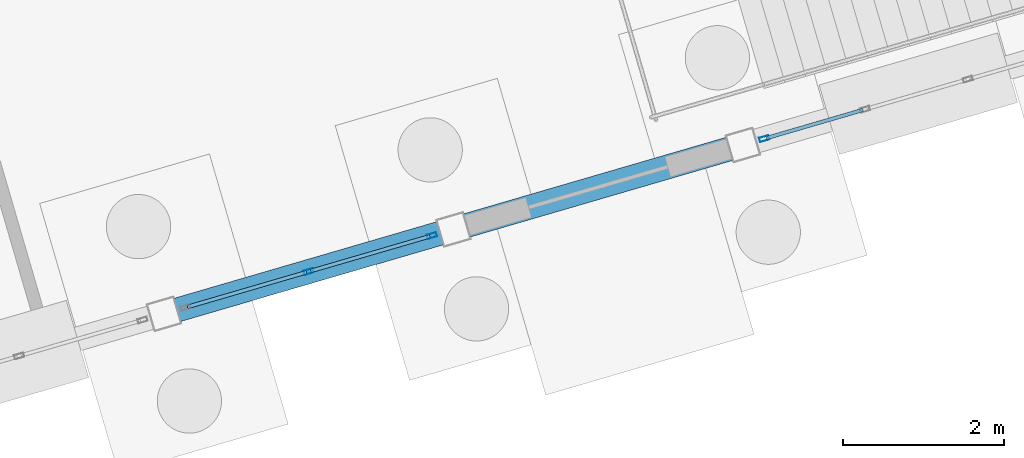
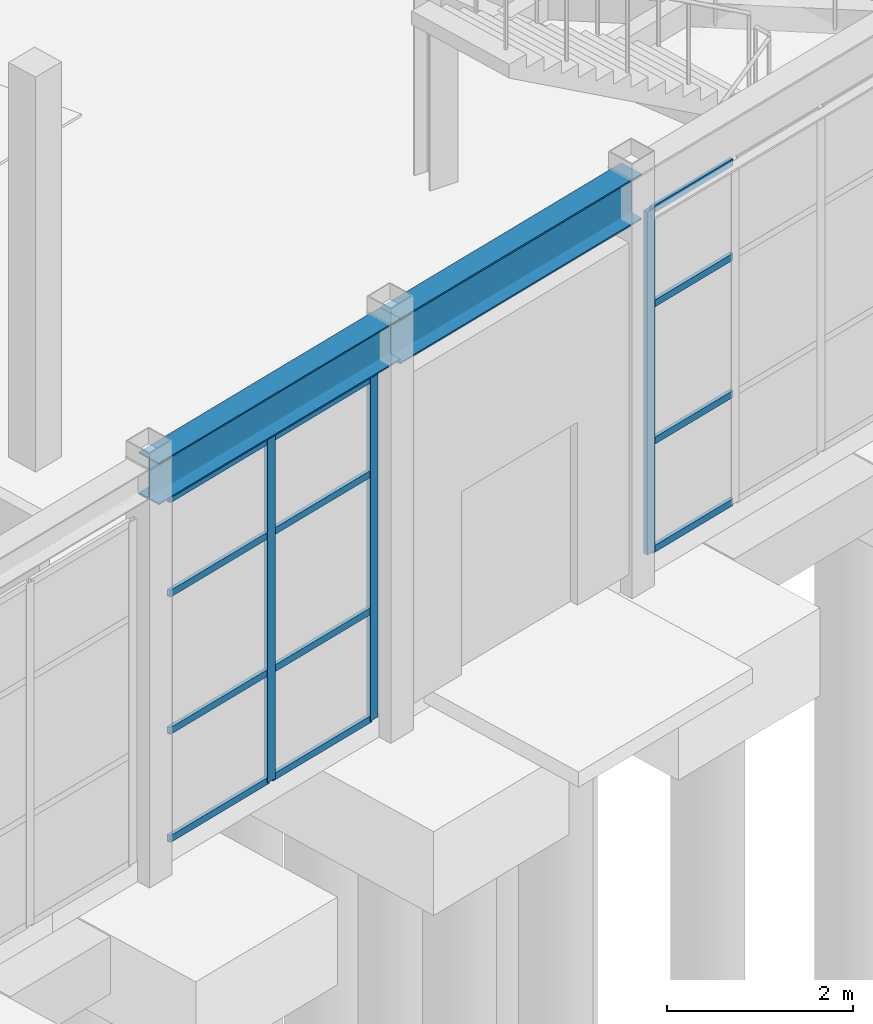
# One storey, part 34 of 90: 15 members, 2 beams, 2 elements without a shape of their own.
"""IFC4 building model written with IfcOpenShell, lengths in metres."""

from ifc_helpers import new_model, si_unit, direction, frame, origin, origin_2d, place, context, subcontext, project, spatial, hollow_rectangle, i_section, extrude, material, layer, layer_set, material_profile, profile_set, type_object, element, aggregate, save


model = new_model("IFC4")

# Units and contexts
model_context = context("Model", 3, precision=1e-05, world=origin(), true_north=direction((0.0, 1.0)))
body_context = subcontext(model_context, "Body", "Model", "MODEL_VIEW")
ifc_project = project(units=[si_unit("LENGTHUNIT", "METRE"), si_unit("AREAUNIT", "SQUARE_METRE"), si_unit("VOLUMEUNIT", "CUBIC_METRE"), si_unit("PLANEANGLEUNIT", "RADIAN"), si_unit("MASSUNIT", "GRAM", prefix="KILO")], contexts=[model_context])

# Site, building, storey
site_placement = place(None, origin())
site = spatial("IfcSite", under=ifc_project, at=site_placement, CompositionType="ELEMENT")
building_placement = place(site_placement, origin())
building = spatial("IfcBuilding", under=site, at=building_placement, Name="Canggui Botanical Conservatory", CompositionType="ELEMENT")
storey_placement = place(building_placement, origin())
storey = spatial("IfcBuildingStorey", under=building, at=storey_placement, Name="L01", CompositionType="ELEMENT", Elevation=0.0)

# Beams
ifc_material_1 = material(Name="Steel Q355B", Category="steel")
ifc_material_profile_1 = material_profile(ifc_material_1, i_section(OverallWidth=0.300048828125, OverallDepth=0.550048828125, WebThickness=0.010986328125, FlangeThickness=0.01806640625, FilletRadius=0.02392578125, at=origin_2d()), Name="HM 550x300x11x18")
ifc_profile_set_1 = profile_set([ifc_material_profile_1], Name="Steel Q355B")
beam_type_1 = type_object("IfcBeamType", Name="BM-GL08", PredefinedType="BEAM", material=ifc_profile_set_1)
beam_1_placement = place(storey_placement, frame((56.0, 52.5, 4.89990234375), z_axis=(0.959998541695, 0.280004999853, 0.0), x_axis=(-0.280004999853, 0.959998541695, 0.0)))
element("IfcBeam", 1, at=beam_1_placement, inside=storey, type_object=beam_type_1, Name="Conservatory Skywalk Perimeter Girder V0-11", PredefinedType="BEAM", context=body_context, shape_type="SweptSolid", body=[
    extrude(i_section(OverallWidth=0.300048828125, OverallDepth=0.550048828125, WebThickness=0.010986328125, FlangeThickness=0.01806640625, FilletRadius=0.02392578125, at=origin_2d()), origin(), (0.0, 0.0, 1.0), 3.75),
])
ifc_material_profile_2 = material_profile(ifc_material_1, i_section(OverallWidth=0.300048828125, OverallDepth=0.60009765625, WebThickness=0.011962890625, FlangeThickness=0.02001953125, FilletRadius=0.02392578125, at=origin_2d()), Name="HM 600x300x12x20")
ifc_profile_set_2 = profile_set([ifc_material_profile_2], Name="Steel Q355B")
beam_type_2 = type_object("IfcBeamType", Name="BM-GL09", PredefinedType="BEAM", material=ifc_profile_set_2)
beam_2_placement = place(storey_placement, frame((59.60009765625, 53.550048828125, 4.875), z_axis=(0.959993437014, 0.280022500685, 0.0), x_axis=(-0.280022500685, 0.959993437014, 0.0)))
element("IfcBeam", 2, at=beam_2_placement, inside=storey, type_object=beam_type_2, Name="Conservatory Skywalk Perimeter Girder V0-12", PredefinedType="BEAM", context=body_context, shape_type="SweptSolid", body=[
    extrude(i_section(OverallWidth=0.300048828125, OverallDepth=0.60009765625, WebThickness=0.011962890625, FlangeThickness=0.02001953125, FilletRadius=0.02392578125, at=origin_2d()), origin(), (0.0, 0.0, 1.0), 3.749755859375),
])

# Curtain wall, members
ifc_material_2 = material(Name="Thermally Broken Aluminium", Category="aluminium")
ifc_layer = layer(ifc_material_2, 0.1201171875, Name="Thermally Broken Aluminium", Category="aluminium")
ifc_layer_set = layer_set([ifc_layer], Name="Thermally Broken Aluminium")
curtain_wall_type = type_object("IfcCurtainWallType", Name="CW-STICK-B", PredefinedType="USERDEFINED", material=ifc_layer_set)
curtain_wall_1_placement = place(storey_placement, origin())
curtain_wall_1 = element("IfcCurtainWall", 3, at=curtain_wall_1_placement, inside=storey, type_object=curtain_wall_type, Name="Facade Curtain Wall CW-CONS-L01-V0-11", ObjectType="STICK GLAZED WALL", PredefinedType="USERDEFINED")
ifc_material_profile_3 = material_profile(ifc_material_2, hollow_rectangle(XDim=0.054931640625, YDim=0.1201171875, WallThickness=0.0029296875, at=origin_2d()), Name="CWM 55x120x3")
ifc_profile_set_3 = profile_set([ifc_material_profile_3], Name="Thermally Broken Aluminium")
member_type_1 = type_object("IfcMemberType", Name="CWM-05", PredefinedType="MULLION", material=ifc_profile_set_3)
member_1_placement = place(storey_placement, frame((59.33349609375, 53.472412109375, 0.0), z_axis=(0.0, 0.0, 1.0), x_axis=(0.279999999995, -0.960000000002, 0.0)))
member_1 = element("IfcMember", 4, at=member_1_placement, type_object=member_type_1, Name="CW-05 mullion 1", PredefinedType="MULLION", context=body_context, shape_type="SweptSolid", body=[
    extrude(hollow_rectangle(XDim=0.054931640625, YDim=0.1201171875, WallThickness=0.0029296875, at=origin_2d()), origin(), (0.0, 0.0, 1.0), 4.5),
])
member_2_placement = place(storey_placement, frame((57.800048828125, 53.02490234375, 0.0), z_axis=(0.0, 0.0, 1.0), x_axis=(0.279999999995, -0.960000000002, 0.0)))
member_2 = element("IfcMember", 5, at=member_2_placement, type_object=member_type_1, Name="CW-05 mullion 2", PredefinedType="MULLION", context=body_context, shape_type="SweptSolid", body=[
    extrude(hollow_rectangle(XDim=0.054931640625, YDim=0.1201171875, WallThickness=0.0029296875, at=origin_2d()), origin(), (0.0, 0.0, 1.0), 4.5),
])

# Curtain wall, member
curtain_wall_2_placement = place(storey_placement, origin())
curtain_wall_2 = element("IfcCurtainWall", 6, at=curtain_wall_2_placement, inside=storey, type_object=curtain_wall_type, Name="Facade Curtain Wall CW-CONS-L01-V0-13", ObjectType="STICK GLAZED WALL", PredefinedType="USERDEFINED")
member_3_placement = place(storey_placement, frame((63.46630859375, 54.677734375, 0.0), z_axis=(0.0, 0.0, 1.0), x_axis=(0.279999999995, -0.960000000002, 0.0)))
member_3 = element("IfcMember", 7, at=member_3_placement, type_object=member_type_1, Name="CW-05 mullion 4", PredefinedType="MULLION", context=body_context, shape_type="SweptSolid", body=[
    extrude(hollow_rectangle(XDim=0.054931640625, YDim=0.1201171875, WallThickness=0.0029296875, at=origin_2d()), origin(), (0.0, 0.0, 1.0), 4.5),
])

# Member
ifc_material_profile_4 = material_profile(ifc_material_2, hollow_rectangle(XDim=0.044921875, YDim=0.090087890625, WallThickness=0.0029296875, at=origin_2d()), Name="CWT 45x90x3")
ifc_profile_set_4 = profile_set([ifc_material_profile_4], Name="Thermally Broken Aluminium")
member_type_2 = type_object("IfcMemberType", Name="CWT-05", PredefinedType="USERDEFINED", material=ifc_profile_set_4)
member_4_placement = place(storey_placement, frame((59.30712890625, 53.464599609375, 0.0224609375), z_axis=(-0.959998227189, -0.280006078137, 0.0), x_axis=(0.280006078137, -0.959998227189, 0.0)))
member_4 = element("IfcMember", 8, at=member_4_placement, type_object=member_type_2, Name="CW-05 transom 1.1", ObjectType="TRANSOM", PredefinedType="USERDEFINED", context=body_context, shape_type="SweptSolid", body=[
    extrude(hollow_rectangle(XDim=0.044921875, YDim=0.090087890625, WallThickness=0.0029296875, at=origin_2d()), origin(), (0.0, 0.0, 1.0), 1.54248046875),
])

member_5_placement = place(storey_placement, frame((59.30712890625, 53.464599609375, 1.43994140625), z_axis=(-0.959998227189, -0.280006078137, 0.0), x_axis=(0.280006078137, -0.959998227189, 0.0)))
member_5 = element("IfcMember", 9, at=member_5_placement, type_object=member_type_2, Name="CW-05 transom 1.2", ObjectType="TRANSOM", PredefinedType="USERDEFINED", context=body_context, shape_type="SweptSolid", body=[
    extrude(hollow_rectangle(XDim=0.044921875, YDim=0.090087890625, WallThickness=0.0029296875, at=origin_2d()), origin(), (0.0, 0.0, 1.0), 1.54248046875),
])

member_6_placement = place(storey_placement, frame((59.30712890625, 53.464599609375, 3.239990234375), z_axis=(-0.959998227189, -0.280006078137, 0.0), x_axis=(0.280006078137, -0.959998227189, 0.0)))
member_6 = element("IfcMember", 10, at=member_6_placement, type_object=member_type_2, Name="CW-05 transom 1.3", ObjectType="TRANSOM", PredefinedType="USERDEFINED", context=body_context, shape_type="SweptSolid", body=[
    extrude(hollow_rectangle(XDim=0.044921875, YDim=0.090087890625, WallThickness=0.0029296875, at=origin_2d()), origin(), (0.0, 0.0, 1.0), 1.54248046875),
])

member_7_placement = place(storey_placement, frame((59.30712890625, 53.464599609375, 4.4775390625), z_axis=(-0.959998227189, -0.280006078137, 0.0), x_axis=(0.280006078137, -0.959998227189, 0.0)))
member_7 = element("IfcMember", 11, at=member_7_placement, type_object=member_type_2, Name="CW-05 transom 1.4", ObjectType="TRANSOM", PredefinedType="USERDEFINED", context=body_context, shape_type="SweptSolid", body=[
    extrude(hollow_rectangle(XDim=0.044921875, YDim=0.090087890625, WallThickness=0.0029296875, at=origin_2d()), origin(), (0.0, 0.0, 1.0), 1.54248046875),
])

member_8_placement = place(storey_placement, frame((57.773681640625, 53.017333984375, 0.0224609375), z_axis=(-0.96001063444, -0.279963536486, 0.0), x_axis=(0.279963536486, -0.96001063444, 0.0)))
member_8 = element("IfcMember", 12, at=member_8_placement, type_object=member_type_2, Name="CW-05 transom 2.1", ObjectType="TRANSOM", PredefinedType="USERDEFINED", context=body_context, shape_type="SweptSolid", body=[
    extrude(hollow_rectangle(XDim=0.044921875, YDim=0.090087890625, WallThickness=0.0029296875, at=origin_2d()), origin(), (0.0, 0.0, 1.0), 1.542724609375),
])

member_9_placement = place(storey_placement, frame((57.773681640625, 53.017333984375, 1.43994140625), z_axis=(-0.96001063444, -0.279963536486, 0.0), x_axis=(0.279963536486, -0.96001063444, 0.0)))
member_9 = element("IfcMember", 13, at=member_9_placement, type_object=member_type_2, Name="CW-05 transom 2.2", ObjectType="TRANSOM", PredefinedType="USERDEFINED", context=body_context, shape_type="SweptSolid", body=[
    extrude(hollow_rectangle(XDim=0.044921875, YDim=0.090087890625, WallThickness=0.0029296875, at=origin_2d()), origin(), (0.0, 0.0, 1.0), 1.542724609375),
])

member_10_placement = place(storey_placement, frame((57.773681640625, 53.017333984375, 3.239990234375), z_axis=(-0.96001063444, -0.279963536486, 0.0), x_axis=(0.279963536486, -0.96001063444, 0.0)))
member_10 = element("IfcMember", 14, at=member_10_placement, type_object=member_type_2, Name="CW-05 transom 2.3", ObjectType="TRANSOM", PredefinedType="USERDEFINED", context=body_context, shape_type="SweptSolid", body=[
    extrude(hollow_rectangle(XDim=0.044921875, YDim=0.090087890625, WallThickness=0.0029296875, at=origin_2d()), origin(), (0.0, 0.0, 1.0), 1.542724609375),
])

member_11_placement = place(storey_placement, frame((57.773681640625, 53.017333984375, 4.4775390625), z_axis=(-0.96001063444, -0.279963536486, 0.0), x_axis=(0.279963536486, -0.96001063444, 0.0)))
member_11 = element("IfcMember", 15, at=member_11_placement, type_object=member_type_2, Name="CW-05 transom 2.4", ObjectType="TRANSOM", PredefinedType="USERDEFINED", context=body_context, shape_type="SweptSolid", body=[
    extrude(hollow_rectangle(XDim=0.044921875, YDim=0.090087890625, WallThickness=0.0029296875, at=origin_2d()), origin(), (0.0, 0.0, 1.0), 1.542724609375),
])

aggregate(curtain_wall_1, [member_1, member_2, member_4, member_5, member_6, member_7, member_8, member_9, member_10, member_11])

member_12_placement = place(storey_placement, frame((64.693603515625, 55.03564453125, 0.0224609375), z_axis=(-0.959969387677, -0.2801049352, 0.0), x_axis=(0.2801049352, -0.959969387677, 0.0)))
member_12 = element("IfcMember", 16, at=member_12_placement, type_object=member_type_2, Name="CW-05 transom 3.1", ObjectType="TRANSOM", PredefinedType="USERDEFINED", context=body_context, shape_type="SweptSolid", body=[
    extrude(hollow_rectangle(XDim=0.044921875, YDim=0.090087890625, WallThickness=0.0029296875, at=origin_2d()), origin(), (0.0, 0.0, 1.0), 1.250732421875),
])

member_13_placement = place(storey_placement, frame((64.693603515625, 55.03564453125, 1.43994140625), z_axis=(-0.959969387677, -0.2801049352, 0.0), x_axis=(0.2801049352, -0.959969387677, 0.0)))
member_13 = element("IfcMember", 17, at=member_13_placement, type_object=member_type_2, Name="CW-05 transom 3.2", ObjectType="TRANSOM", PredefinedType="USERDEFINED", context=body_context, shape_type="SweptSolid", body=[
    extrude(hollow_rectangle(XDim=0.044921875, YDim=0.090087890625, WallThickness=0.0029296875, at=origin_2d()), origin(), (0.0, 0.0, 1.0), 1.250732421875),
])

member_14_placement = place(storey_placement, frame((64.693603515625, 55.03564453125, 3.239990234375), z_axis=(-0.959969387677, -0.2801049352, 0.0), x_axis=(0.2801049352, -0.959969387677, 0.0)))
member_14 = element("IfcMember", 18, at=member_14_placement, type_object=member_type_2, Name="CW-05 transom 3.3", ObjectType="TRANSOM", PredefinedType="USERDEFINED", context=body_context, shape_type="SweptSolid", body=[
    extrude(hollow_rectangle(XDim=0.044921875, YDim=0.090087890625, WallThickness=0.0029296875, at=origin_2d()), origin(), (0.0, 0.0, 1.0), 1.250732421875),
])

member_15_placement = place(storey_placement, frame((64.693603515625, 55.03564453125, 4.4775390625), z_axis=(-0.959969387677, -0.2801049352, 0.0), x_axis=(0.2801049352, -0.959969387677, 0.0)))
member_15 = element("IfcMember", 19, at=member_15_placement, type_object=member_type_2, Name="CW-05 transom 3.4", ObjectType="TRANSOM", PredefinedType="USERDEFINED", context=body_context, shape_type="SweptSolid", body=[
    extrude(hollow_rectangle(XDim=0.044921875, YDim=0.090087890625, WallThickness=0.0029296875, at=origin_2d()), origin(), (0.0, 0.0, 1.0), 1.250732421875),
])

aggregate(curtain_wall_2, [member_3, member_12, member_13, member_14, member_15])

save(model, "model.ifc")
